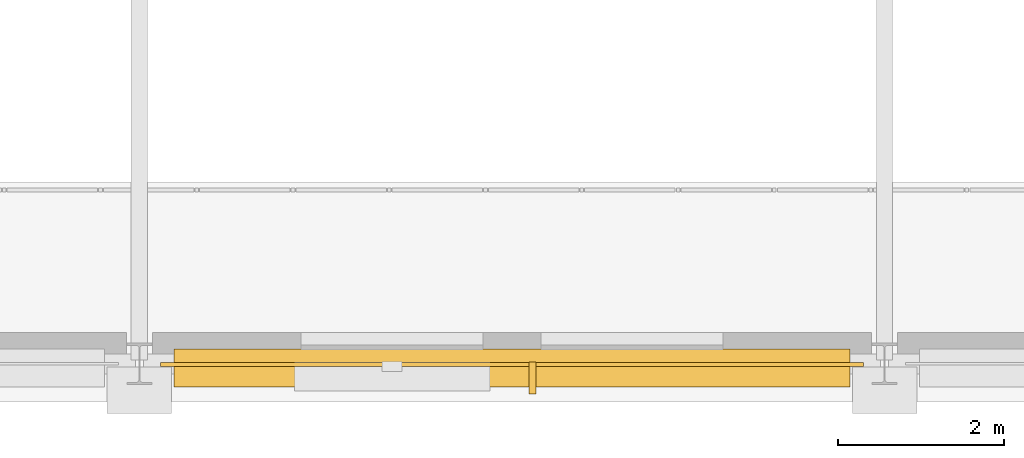
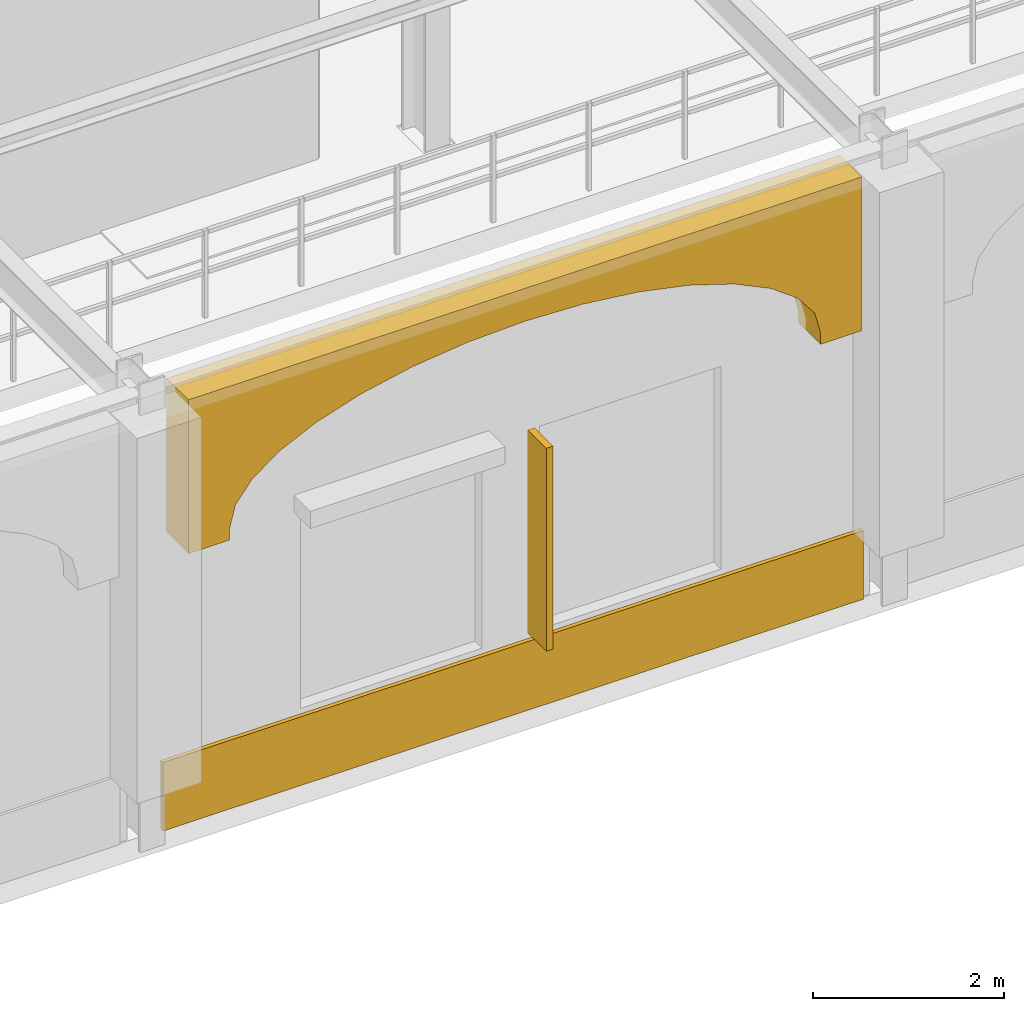
# One storey, part 99 of 113: 2 coverings, 1 shading device.
"""IFC4 building model written with IfcOpenShell, lengths in metres."""

from ifc_helpers import new_model, si_unit, direction, frame, origin, origin_2d, place, context, subcontext, project, spatial, polyline, rectangle, outline, extrude, material, layer, layer_set, type_object, element, save


model = new_model("IFC4")

# Units and contexts
model_context = context("Model", 3, precision=1e-05, world=origin(), true_north=direction((0.0, 1.0)))
body_context = subcontext(model_context, "Body", "Model", "MODEL_VIEW")
ifc_project = project(units=[si_unit("LENGTHUNIT", "METRE"), si_unit("AREAUNIT", "SQUARE_METRE"), si_unit("VOLUMEUNIT", "CUBIC_METRE"), si_unit("PLANEANGLEUNIT", "RADIAN"), si_unit("MASSUNIT", "GRAM", prefix="KILO")], contexts=[model_context])

# Site, building, storey
site_placement = place(None, origin())
site = spatial("IfcSite", under=ifc_project, at=site_placement, CompositionType="ELEMENT")
building_placement = place(site_placement, origin())
building = spatial("IfcBuilding", under=site, at=building_placement, Name="Myrtia Square Station", CompositionType="ELEMENT")
storey_placement = place(building_placement, origin())
storey = spatial("IfcBuildingStorey", under=building, at=storey_placement, Name="L00", CompositionType="ELEMENT", Elevation=0.0)

# Coverings
ifc_material_1 = material(Name="Pentelic marble ashlar", Category="masonry")
ifc_layer_1 = layer(ifc_material_1, 0.4599609375, Name="Pentelic marble ashlar")
ifc_layer_set_1 = layer_set([ifc_layer_1], Name="Pentelic marble ashlar")
covering_type_1 = type_object("IfcCoveringType", Name="COV-ARCH-ASHLAR", PredefinedType="CLADDING", material=ifc_layer_set_1)
covering_1_placement = place(storey_placement, frame((153.419921875, -0.050048828125, 3.64990234375), z_axis=(0.0, 0.0, 1.0), x_axis=(1.0, 0.0, 0.0)))
element("IfcCovering", 1, at=covering_1_placement, inside=storey, type_object=covering_type_1, Name="South street facade arch spandrel 022", PredefinedType="CLADDING", context=body_context, shape_type="SweptSolid", body=[
    extrude(outline(polyline([(0.0, 0.0), (0.5, 0.0), (0.5, 0.150146484375), (0.56884765625, 0.42333984375), (0.7724609375, 0.685791015625), (1.103271484375, 0.927978515625), (1.548583984375, 1.14013671875), (2.091064453125, 1.314208984375), (2.7099609375, 1.443603515625), (3.381591796875, 1.523193359375), (4.080078125, 1.550048828125), (4.778564453125, 1.523193359375), (5.4501953125, 1.443603515625), (6.069091796875, 1.314208984375), (6.611572265625, 1.14013671875), (7.056884765625, 0.927978515625), (7.3876953125, 0.685791015625), (7.59130859375, 0.42333984375), (7.66015625, 0.150146484375), (7.66015625, 0.0), (8.16015625, 0.0), (8.16015625, 1.97021484375), (0.0, 1.97021484375), (0.0, 0.0)])), frame((0.0, 0.22998046875, 0.0), z_axis=(0.0, -1.0, 0.0), x_axis=(1.0, 0.0, 0.0)), (0.0, 0.0, 1.0), 0.4599609375),
])
ifc_layer_2 = layer(ifc_material_1, 0.050048828125, Name="Pentelic marble ashlar")
ifc_layer_set_2 = layer_set([ifc_layer_2], Name="Pentelic marble ashlar")
covering_type_2 = type_object("IfcCoveringType", Name="COV-CLAD-ASHLAR", PredefinedType="CLADDING", material=ifc_layer_set_2)
covering_2_placement = place(storey_placement, frame((157.5, -0.0048828125, 0.0), z_axis=(0.0, 0.0, 1.0), x_axis=(1.0, 0.0, 0.0)))
element("IfcCovering", 2, at=covering_2_placement, inside=storey, type_object=covering_type_2, Name="Spanish Colonial Revival dado cladding 015", PredefinedType="CLADDING", context=body_context, shape_type="SweptSolid", body=[
    extrude(rectangle(XDim=8.489990234375, YDim=0.050048828125, at=origin_2d()), origin(), (0.0, 0.0, 1.0), 0.8798828125),
])

# Shading device
ifc_material_2 = material(Name="Dark bronze anodised aluminium", Category="aluminium")
shading_device_type = type_object("IfcShadingDeviceType", Name="SHD-FIN-BRONZE", PredefinedType="USERDEFINED", material=ifc_material_2)
shading_device_placement = place(storey_placement, frame((157.748046875, -0.169921875, 0.949951171875), z_axis=(0.0, 0.0, 1.0), x_axis=(1.0, 0.0, 0.0)))
element("IfcShadingDevice", 3, at=shading_device_placement, inside=storey, type_object=shading_device_type, Name="Vertical bronze solar fin SHF-009", ObjectType="FIN", PredefinedType="USERDEFINED", context=body_context, shape_type="SweptSolid", body=[
    extrude(rectangle(XDim=0.080078125, YDim=0.389892578125, at=origin_2d()), origin(), (0.0, 0.0, 1.0), 2.60009765625),
])

save(model, "model.ifc")
